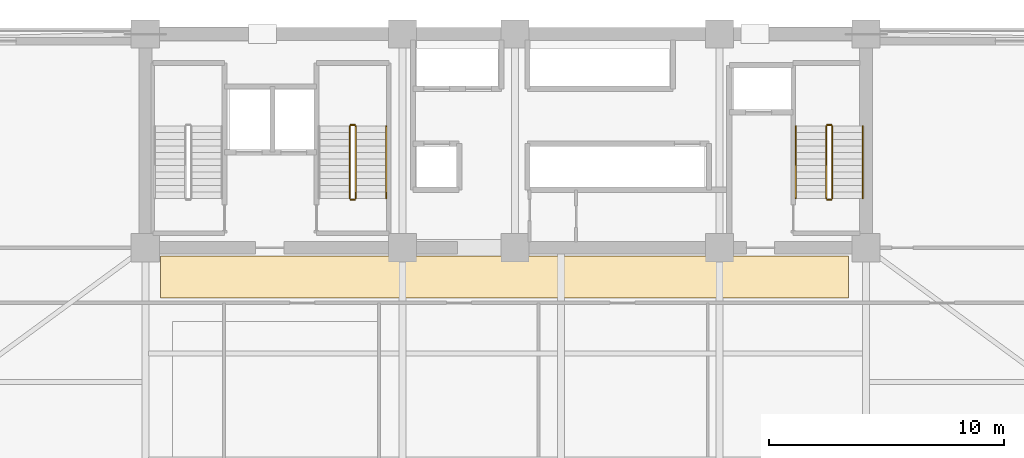
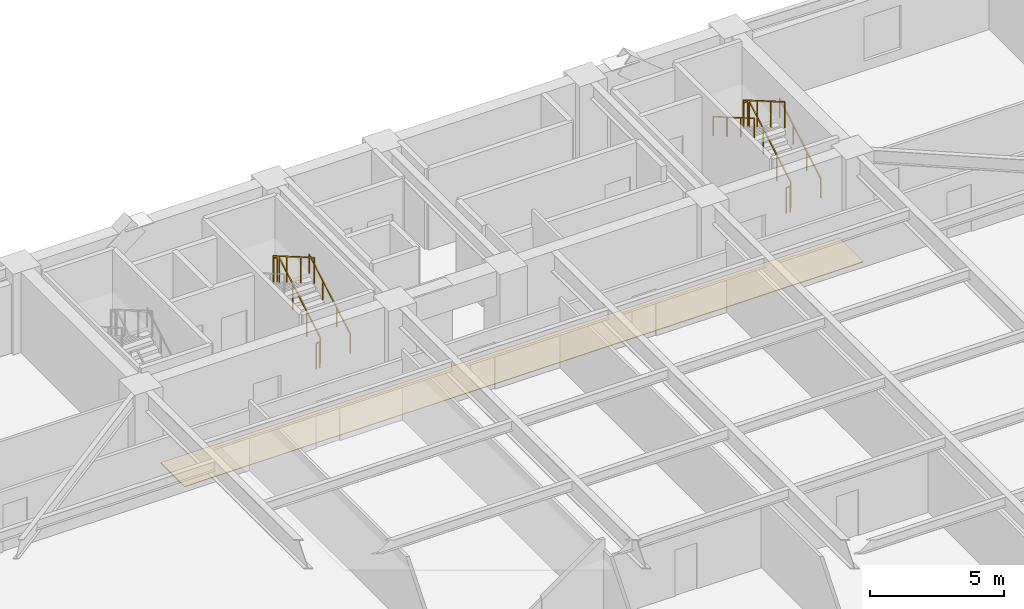
# One storey, part 15 of 16: 11 railings, 1 covering.
"""IFC4 building model written with IfcOpenShell, lengths in metres."""

from ifc_helpers import new_model, si_unit, direction, frame, origin, origin_2d, place, context, subcontext, project, spatial, polyline, rectangle, outline, extrude, material, layer, layer_set, type_object, element, save


model = new_model("IFC4")

# Units and contexts
model_context = context("Model", 3, precision=1e-05, world=origin(), true_north=direction((0.0, 1.0)))
body_context = subcontext(model_context, "Body", "Model", "MODEL_VIEW")
ifc_project = project(units=[si_unit("LENGTHUNIT", "METRE"), si_unit("AREAUNIT", "SQUARE_METRE"), si_unit("VOLUMEUNIT", "CUBIC_METRE"), si_unit("PLANEANGLEUNIT", "RADIAN"), si_unit("MASSUNIT", "GRAM", prefix="KILO")], contexts=[model_context])

# Site, building, storey
site_placement = place(None, origin())
site = spatial("IfcSite", under=ifc_project, at=site_placement, CompositionType="ELEMENT")
building_placement = place(site_placement, origin())
building = spatial("IfcBuilding", under=site, at=building_placement, Name="Giltprow Tower", CompositionType="ELEMENT")
storey_placement = place(building_placement, frame((0.0, 0.0, 87.39990234375)))
storey = spatial("IfcBuildingStorey", under=building, at=storey_placement, Name="L21", CompositionType="ELEMENT", Elevation=87.39990234375)

# Covering
ifc_material_1 = material(Name="Honed granite", Category="masonry")
ifc_layer = layer(ifc_material_1, 0.030029296875, Name="Honed granite")
ifc_layer_set = layer_set([ifc_layer], Name="Honed granite")
covering_type = type_object("IfcCoveringType", Name="COV-FLR-STONE", PredefinedType="FLOORING", material=ifc_layer_set)
covering_placement = place(storey_placement, origin())
element("IfcCovering", 1, at=covering_placement, inside=storey, type_object=covering_type, Name="L21 Office Corridor Stone Flooring", PredefinedType="FLOORING", context=body_context, shape_type="SweptSolid", body=[
    extrude(outline(polyline([(20.5, 35.300048828125), (49.800048828125, 35.300048828125), (49.800048828125, 37.10009765625), (20.5, 37.10009765625), (20.5, 35.300048828125)])), origin(), (0.0, 0.0, 1.0), 0.030029296875),
])

# Railings
ifc_material_2 = material(Name="Anodized bronze", Category="metal")
railing_type_1 = type_object("IfcRailingType", Name="RAIL-STAIR-GUARD-1200", PredefinedType="GUARDRAIL", material=ifc_material_2)
railing_1_placement = place(storey_placement, frame((28.81005859375, 39.550048828125, 0.16259765625)))
element("IfcRailing", 2, at=railing_1_placement, inside=storey, type_object=railing_type_1, Name="L21 ST-2 stair guard 1", PredefinedType="GUARDRAIL", context=body_context, shape_type="SweptSolid", body=[
    extrude(rectangle(XDim=0.048095703125, YDim=0.048095703125, at=origin_2d()), frame((0.0, 0.0, 1.17578125), z_axis=(0.0, 0.864873446163, 0.501989962173), x_axis=(-1.0, 0.0, 0.0)), (0.0, 0.0, 1.0), 3.56103515625),
    extrude(rectangle(XDim=0.0419921875, YDim=0.0419921875, at=origin_2d()), origin(), (0.0, 0.0, 1.0), 1.15185546875),
    extrude(rectangle(XDim=0.0419921875, YDim=0.0419921875, at=origin_2d()), frame((0.0, 1.026611328125, 0.595947265625)), (0.0, 0.0, 1.0), 1.15185546875),
    extrude(rectangle(XDim=0.0419921875, YDim=0.0419921875, at=origin_2d()), frame((0.0, 2.05322265625, 1.191650390625)), (0.0, 0.0, 1.0), 1.15185546875),
    extrude(rectangle(XDim=0.0419921875, YDim=0.0419921875, at=origin_2d()), frame((0.0, 3.079833984375, 1.78759765625)), (0.0, 0.0, 1.0), 1.15185546875),
])
railing_2_placement = place(storey_placement, frame((28.760009765625, 42.679931640625, 1.9501953125)))
element("IfcRailing", 3, at=railing_2_placement, inside=storey, type_object=railing_type_1, Name="L21 ST-2 stair guard 2", PredefinedType="GUARDRAIL", context=body_context, shape_type="SweptSolid", body=[
    extrude(rectangle(XDim=0.048095703125, YDim=0.048095703125, at=origin_2d()), frame((0.0, 0.0, 1.17578125), z_axis=(-1.0, 0.0, 0.0), x_axis=(0.0, -1.0, 0.0)), (0.0, 0.0, 1.0), 0.159912109375),
    extrude(rectangle(XDim=0.0419921875, YDim=0.0419921875, at=origin_2d()), origin(), (0.0, 0.0, 1.0), 1.15185546875),
    extrude(rectangle(XDim=0.0419921875, YDim=0.0419921875, at=origin_2d()), frame((-0.159912109375, 0.0, 0.0)), (0.0, 0.0, 1.0), 1.15185546875),
])
railing_3_placement = place(storey_placement, frame((28.550048828125, 42.6298828125, 2.112548828125)))
element("IfcRailing", 4, at=railing_3_placement, inside=storey, type_object=railing_type_1, Name="L21 ST-2 stair guard 3", PredefinedType="GUARDRAIL", context=body_context, shape_type="SweptSolid", body=[
    extrude(rectangle(XDim=0.048095703125, YDim=0.048095703125, at=origin_2d()), frame((0.0, 0.0, 1.17578125), z_axis=(0.0, -0.864873446163, 0.501989962173), x_axis=(1.0, 0.0, 0.0)), (0.0, 0.0, 1.0), 3.56103515625),
    extrude(rectangle(XDim=0.0419921875, YDim=0.0419921875, at=origin_2d()), origin(), (0.0, 0.0, 1.0), 1.15185546875),
    extrude(rectangle(XDim=0.0419921875, YDim=0.0419921875, at=origin_2d()), frame((0.0, -1.026611328125, 0.595947265625)), (0.0, 0.0, 1.0), 1.15185546875),
    extrude(rectangle(XDim=0.0419921875, YDim=0.0419921875, at=origin_2d()), frame((0.0, -2.05322265625, 1.191650390625)), (0.0, 0.0, 1.0), 1.15185546875),
    extrude(rectangle(XDim=0.0419921875, YDim=0.0419921875, at=origin_2d()), frame((0.0, -3.079833984375, 1.78759765625)), (0.0, 0.0, 1.0), 1.15185546875),
])
railing_4_placement = place(storey_placement, frame((28.760009765625, 39.5, 0.0)))
element("IfcRailing", 5, at=railing_4_placement, inside=storey, type_object=railing_type_1, Name="L21 ST-2 stair guard 4", PredefinedType="GUARDRAIL", context=body_context, shape_type="SweptSolid", body=[
    extrude(rectangle(XDim=0.048095703125, YDim=0.048095703125, at=origin_2d()), frame((0.0, 0.0, 1.17578125), z_axis=(-1.0, 0.0, 0.0), x_axis=(0.0, -1.0, 0.0)), (0.0, 0.0, 1.0), 0.159912109375),
    extrude(rectangle(XDim=0.0419921875, YDim=0.0419921875, at=origin_2d()), origin(), (0.0, 0.0, 1.0), 1.15185546875),
    extrude(rectangle(XDim=0.0419921875, YDim=0.0419921875, at=origin_2d()), frame((-0.159912109375, 0.0, 0.0)), (0.0, 0.0, 1.0), 1.15185546875),
])
railing_5_placement = place(storey_placement, frame((49.110107421875, 39.550048828125, 0.16259765625)))
element("IfcRailing", 6, at=railing_5_placement, inside=storey, type_object=railing_type_1, Name="L21 ST-3 stair guard 1", PredefinedType="GUARDRAIL", context=body_context, shape_type="SweptSolid", body=[
    extrude(rectangle(XDim=0.048095703125, YDim=0.048095703125, at=origin_2d()), frame((0.0, 0.0, 1.17578125), z_axis=(0.0, 0.864873446163, 0.501989962173), x_axis=(-1.0, 0.0, 0.0)), (0.0, 0.0, 1.0), 3.56103515625),
    extrude(rectangle(XDim=0.0419921875, YDim=0.0419921875, at=origin_2d()), origin(), (0.0, 0.0, 1.0), 1.15185546875),
    extrude(rectangle(XDim=0.0419921875, YDim=0.0419921875, at=origin_2d()), frame((0.0, 1.026611328125, 0.595947265625)), (0.0, 0.0, 1.0), 1.15185546875),
    extrude(rectangle(XDim=0.0419921875, YDim=0.0419921875, at=origin_2d()), frame((0.0, 2.05322265625, 1.191650390625)), (0.0, 0.0, 1.0), 1.15185546875),
    extrude(rectangle(XDim=0.0419921875, YDim=0.0419921875, at=origin_2d()), frame((0.0, 3.079833984375, 1.78759765625)), (0.0, 0.0, 1.0), 1.15185546875),
])
railing_6_placement = place(storey_placement, frame((49.06005859375, 42.679931640625, 1.9501953125)))
element("IfcRailing", 7, at=railing_6_placement, inside=storey, type_object=railing_type_1, Name="L21 ST-3 stair guard 2", PredefinedType="GUARDRAIL", context=body_context, shape_type="SweptSolid", body=[
    extrude(rectangle(XDim=0.048095703125, YDim=0.048095703125, at=origin_2d()), frame((0.0, 0.0, 1.17578125), z_axis=(-1.0, 0.0, 0.0), x_axis=(0.0, -1.0, 0.0)), (0.0, 0.0, 1.0), 0.16015625),
    extrude(rectangle(XDim=0.0419921875, YDim=0.0419921875, at=origin_2d()), origin(), (0.0, 0.0, 1.0), 1.15185546875),
    extrude(rectangle(XDim=0.0419921875, YDim=0.0419921875, at=origin_2d()), frame((-0.16015625, 0.0, 0.0)), (0.0, 0.0, 1.0), 1.15185546875),
])
railing_7_placement = place(storey_placement, frame((48.85009765625, 42.6298828125, 2.112548828125)))
element("IfcRailing", 8, at=railing_7_placement, inside=storey, type_object=railing_type_1, Name="L21 ST-3 stair guard 3", PredefinedType="GUARDRAIL", context=body_context, shape_type="SweptSolid", body=[
    extrude(rectangle(XDim=0.048095703125, YDim=0.048095703125, at=origin_2d()), frame((0.0, 0.0, 1.17578125), z_axis=(0.0, -0.864873446163, 0.501989962173), x_axis=(1.0, 0.0, 0.0)), (0.0, 0.0, 1.0), 3.56103515625),
    extrude(rectangle(XDim=0.0419921875, YDim=0.0419921875, at=origin_2d()), origin(), (0.0, 0.0, 1.0), 1.15185546875),
    extrude(rectangle(XDim=0.0419921875, YDim=0.0419921875, at=origin_2d()), frame((0.0, -1.026611328125, 0.595947265625)), (0.0, 0.0, 1.0), 1.15185546875),
    extrude(rectangle(XDim=0.0419921875, YDim=0.0419921875, at=origin_2d()), frame((0.0, -2.05322265625, 1.191650390625)), (0.0, 0.0, 1.0), 1.15185546875),
    extrude(rectangle(XDim=0.0419921875, YDim=0.0419921875, at=origin_2d()), frame((0.0, -3.079833984375, 1.78759765625)), (0.0, 0.0, 1.0), 1.15185546875),
])
railing_8_placement = place(storey_placement, frame((49.06005859375, 39.5, 0.0)))
element("IfcRailing", 9, at=railing_8_placement, inside=storey, type_object=railing_type_1, Name="L21 ST-3 stair guard 4", PredefinedType="GUARDRAIL", context=body_context, shape_type="SweptSolid", body=[
    extrude(rectangle(XDim=0.048095703125, YDim=0.048095703125, at=origin_2d()), frame((0.0, 0.0, 1.17578125), z_axis=(-1.0, 0.0, 0.0), x_axis=(0.0, -1.0, 0.0)), (0.0, 0.0, 1.0), 0.16015625),
    extrude(rectangle(XDim=0.0419921875, YDim=0.0419921875, at=origin_2d()), origin(), (0.0, 0.0, 1.0), 1.15185546875),
    extrude(rectangle(XDim=0.0419921875, YDim=0.0419921875, at=origin_2d()), frame((-0.16015625, 0.0, 0.0)), (0.0, 0.0, 1.0), 1.15185546875),
])
railing_type_2 = type_object("IfcRailingType", Name="RAIL-STAIR-HAND-900", PredefinedType="HANDRAIL", material=ifc_material_2)
for number, where, name in (
    (10, (30.110107421875, 39.550048828125, 0.16259765625), "L21 ST-2 stair handrail 1"),
    (11, (50.409912109375, 39.550048828125, 0.16259765625), "L21 ST-3 stair handrail 1"),
):
    element("IfcRailing", number, at=place(storey_placement, frame(where)), inside=storey, type_object=railing_type_2, Name=name, PredefinedType="HANDRAIL", context=body_context, shape_type="SweptSolid", body=[
        extrude(rectangle(XDim=0.048095703125, YDim=0.048095703125, at=origin_2d()), frame((0.0, 0.0, 0.8759765625), z_axis=(0.0, 0.864873446163, 0.501989962173), x_axis=(-1.0, 0.0, 0.0)), (0.0, 0.0, 1.0), 3.56103515625),
        extrude(rectangle(XDim=0.0419921875, YDim=0.0419921875, at=origin_2d()), origin(), (0.0, 0.0, 1.0), 0.851806640625),
        extrude(rectangle(XDim=0.0419921875, YDim=0.0419921875, at=origin_2d()), frame((0.0, 1.026611328125, 0.595947265625)), (0.0, 0.0, 1.0), 0.851806640625),
        extrude(rectangle(XDim=0.0419921875, YDim=0.0419921875, at=origin_2d()), frame((0.0, 2.05322265625, 1.191650390625)), (0.0, 0.0, 1.0), 0.851806640625),
        extrude(rectangle(XDim=0.0419921875, YDim=0.0419921875, at=origin_2d()), frame((0.0, 3.079833984375, 1.78759765625)), (0.0, 0.0, 1.0), 0.851806640625),
    ])
railing_9_placement = place(storey_placement, frame((47.550048828125, 42.6298828125, 2.112548828125)))
element("IfcRailing", 12, at=railing_9_placement, inside=storey, type_object=railing_type_2, Name="L21 ST-3 stair handrail 2", PredefinedType="HANDRAIL", context=body_context, shape_type="SweptSolid", body=[
    extrude(rectangle(XDim=0.048095703125, YDim=0.048095703125, at=origin_2d()), frame((0.0, 0.0, 0.8759765625), z_axis=(0.0, -0.864873446163, 0.501989962173), x_axis=(1.0, 0.0, 0.0)), (0.0, 0.0, 1.0), 3.56103515625),
    extrude(rectangle(XDim=0.0419921875, YDim=0.0419921875, at=origin_2d()), origin(), (0.0, 0.0, 1.0), 0.851806640625),
    extrude(rectangle(XDim=0.0419921875, YDim=0.0419921875, at=origin_2d()), frame((0.0, -1.026611328125, 0.595947265625)), (0.0, 0.0, 1.0), 0.851806640625),
    extrude(rectangle(XDim=0.0419921875, YDim=0.0419921875, at=origin_2d()), frame((0.0, -2.05322265625, 1.191650390625)), (0.0, 0.0, 1.0), 0.851806640625),
    extrude(rectangle(XDim=0.0419921875, YDim=0.0419921875, at=origin_2d()), frame((0.0, -3.079833984375, 1.78759765625)), (0.0, 0.0, 1.0), 0.851806640625),
])

save(model, "model.ifc")
